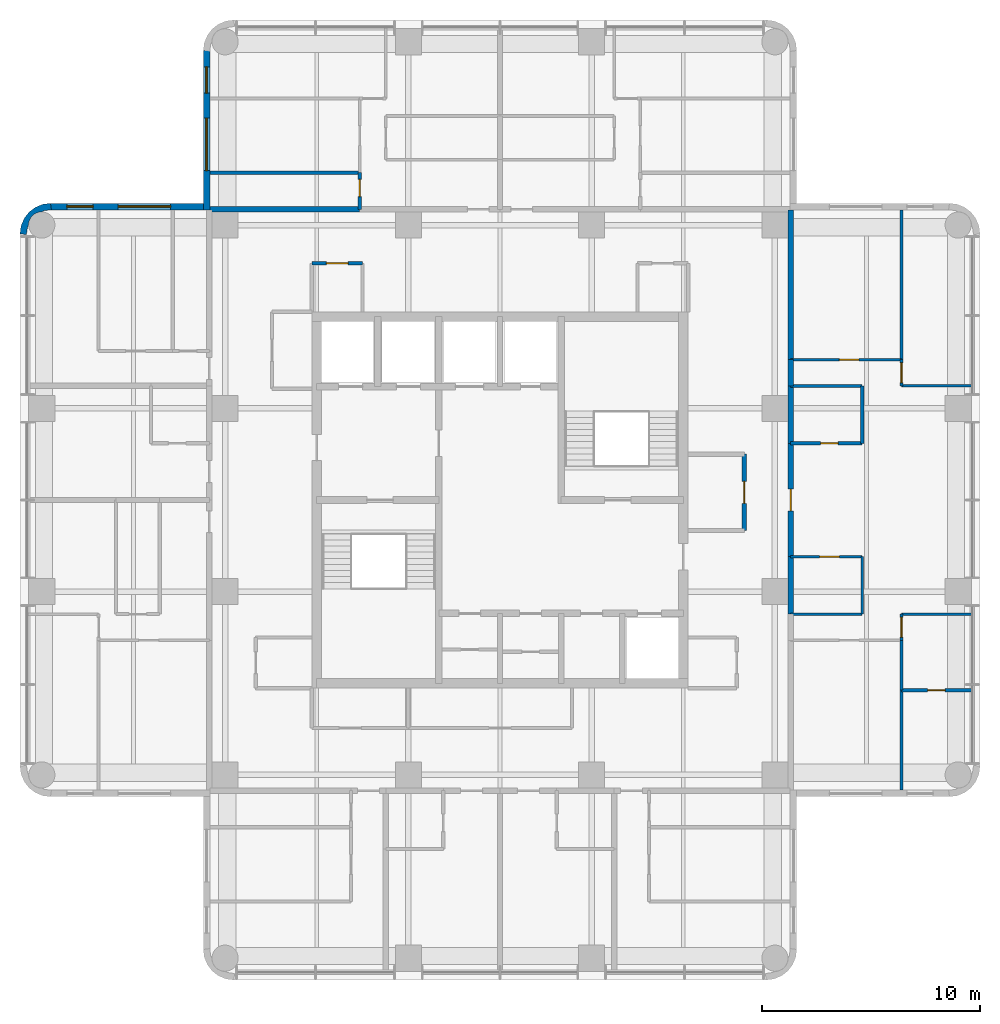
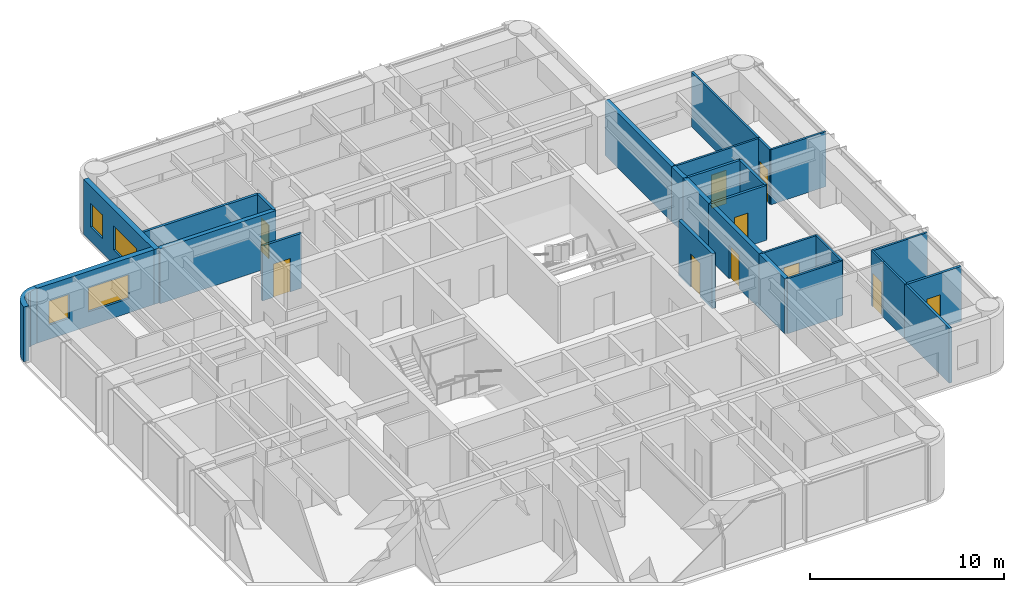
# One storey, part 7 of 10: 28 walls, 10 doors, 4 windows, 14 openings.
"""IFC4 building model written with IfcOpenShell, lengths in metres."""

from ifc_helpers import new_model, si_unit, direction, frame, frame_2d, origin, place, context, subcontext, project, spatial, polyline, rectangle, outline, extrude, material, layer, layer_set, type_object, element, fill, save


model = new_model("IFC4")

# Units and contexts
model_context = context("Model", 3, precision=1e-05, world=origin(), true_north=direction((0.0, 1.0)))
body_context = subcontext(model_context, "Body", "Model", "MODEL_VIEW")
ifc_project = project(units=[si_unit("LENGTHUNIT", "METRE"), si_unit("AREAUNIT", "SQUARE_METRE"), si_unit("VOLUMEUNIT", "CUBIC_METRE"), si_unit("PLANEANGLEUNIT", "RADIAN"), si_unit("MASSUNIT", "GRAM", prefix="KILO")], contexts=[model_context])

# Site, building, storey
site_placement = place(None, origin())
site = spatial("IfcSite", under=ifc_project, at=site_placement, CompositionType="ELEMENT")
building_placement = place(site_placement, origin())
building = spatial("IfcBuilding", under=site, at=building_placement, Name="Torre Alcanfor", CompositionType="ELEMENT")
storey_placement = place(building_placement, frame((0.0, 0.0, 282.89990234375)))
storey = spatial("IfcBuildingStorey", under=building, at=storey_placement, Name="L74", CompositionType="ELEMENT", Elevation=282.89990234375)

# Wall
ifc_material_1 = material(Name="Concrete block masonry, hollow blocks NMX-C-404 9 MPa", Category="masonry")
ifc_layer_1 = layer(ifc_material_1, 0.25)
ifc_layer_set_1 = layer_set([ifc_layer_1], Name="Apartment entrance wall 250 EI 60")
wall_type_1 = type_object("IfcWallType", Name="Apartment entrance wall 250 EI 60", PredefinedType="PARTITIONING", material=ifc_layer_set_1)
wall_1_placement = place(storey_placement, frame((16.10009765625, 42.72509765625, 0.0), z_axis=(0.0, 0.0, 1.0), x_axis=(1.0, 0.0, 0.0)))
element("IfcWall", 1, at=wall_1_placement, inside=storey, type_object=wall_type_1, Name="Partition L74-CORR / L74-N1-BATH", PredefinedType="PARTITIONING", context=body_context, shape_type="SweptSolid", body=[
    extrude(rectangle(XDim=6.870849609375, YDim=0.25, at=frame_2d((3.435546875, 0.0))), origin(), (0.0, 0.0, 1.0), 3.4501953125),
])

# Wall, opening, door
wall_2_placement = place(storey_placement, frame((42.72509765625, 32.0, 0.0), z_axis=(0.0, 0.0, 1.0), x_axis=(0.0, -1.0, 0.0)))
wall_2 = element("IfcWall", 2, at=wall_2_placement, inside=storey, type_object=wall_type_1, Name="Partition L74-CORR / L74-EX-ZAG", PredefinedType="PARTITIONING", context=body_context, shape_type="SweptSolid", body=[
    extrude(rectangle(XDim=5.199951171875, YDim=0.25, at=frame_2d((2.60009765625, 0.0))), origin(), (0.0, 0.0, 1.0), 3.4501953125),
])
opening_1_placement = place(wall_2_placement, frame((2.10009765625, 0.0, 0.0)))
opening_1 = element("IfcOpeningElement", 3, at=opening_1_placement, cuts=wall_2, Name="Opening D-A1", PredefinedType="OPENING", context=body_context, shape_type="SweptSolid", body=[
    extrude(rectangle(XDim=1.0, YDim=2.10009765625, at=frame_2d((0.5, 1.050048828125))), frame((0.0, 0.135009765625, 0.0), z_axis=(0.0, -1.0, 0.0), x_axis=(1.0, 0.0, 0.0)), (0.0, 0.0, 1.0), 0.27001953125),
])
ifc_material_2 = material(Name="Galvanised steel sheet ASTM A653", Category="steel")
door_type_1 = type_object("IfcDoorType", Name="Apartment entrance door FD60 1000x2100", OperationType="SINGLE_SWING_LEFT", PredefinedType="DOOR", material=ifc_material_2)
door_1_placement = place(opening_1_placement, origin())
door_1 = element("IfcDoor", 4, at=door_1_placement, inside=storey, type_object=door_type_1, Name="Apartment entrance L74-EX", OperationType="SINGLE_SWING_LEFT", OverallHeight=2.10009765625, OverallWidth=1.0, PredefinedType="DOOR", context=body_context, shape_type="SweptSolid", body=[
    extrude(rectangle(XDim=1.0, YDim=2.10009765625, at=frame_2d((0.5, 1.050048828125))), frame((0.0, 0.02490234375, 0.0), z_axis=(0.0, -1.0, 0.0), x_axis=(1.0, 0.0, 0.0)), (0.0, 0.0, 1.0), 0.050048828125),
])
fill(opening_1, door_1)

# Walls
wall_3_placement = place(storey_placement, frame((42.72509765625, 34.62890625, 0.0), z_axis=(0.0, 0.0, 1.0), x_axis=(0.0, -1.0, 0.0)))
element("IfcWall", 5, at=wall_3_placement, inside=storey, type_object=wall_type_1, Name="Partition L74-CORR / L74-EX-BATH2", PredefinedType="PARTITIONING", context=body_context, shape_type="SweptSolid", body=[
    extrude(rectangle(XDim=2.62890625, YDim=0.25, at=frame_2d((1.314453125, 0.0))), origin(), (0.0, 0.0, 1.0), 3.4501953125),
])
wall_4_placement = place(storey_placement, frame((42.72509765625, 26.800048828125, 0.0), z_axis=(0.0, 0.0, 1.0), x_axis=(0.0, -1.0, 0.0)))
element("IfcWall", 6, at=wall_4_placement, inside=storey, type_object=wall_type_1, Name="Partition L74-CORR / L74-EX-KITCHEN", PredefinedType="PARTITIONING", context=body_context, shape_type="SweptSolid", body=[
    extrude(rectangle(XDim=2.629150390625, YDim=0.25, at=frame_2d((1.314453125, 0.0))), origin(), (0.0, 0.0, 1.0), 3.4501953125),
])
wall_5_placement = place(storey_placement, frame((42.72509765625, 35.8291015625, 0.0), z_axis=(0.0, 0.0, 1.0), x_axis=(0.0, -1.0, 0.0)))
element("IfcWall", 7, at=wall_5_placement, inside=storey, type_object=wall_type_1, Name="Partition L74-CORR / L74-EX-LIVING", PredefinedType="PARTITIONING", context=body_context, shape_type="SweptSolid", body=[
    extrude(rectangle(XDim=1.2001953125, YDim=0.25, at=frame_2d((0.60009765625, 0.0))), origin(), (0.0, 0.0, 1.0), 3.4501953125),
])
wall_6_placement = place(storey_placement, frame((42.72509765625, 42.699951171875, 0.0), z_axis=(0.0, 0.0, 1.0), x_axis=(0.0, -1.0, 0.0)))
element("IfcWall", 8, at=wall_6_placement, inside=storey, type_object=wall_type_1, Name="Partition L74-CORR / L74-EX-BED2", PredefinedType="PARTITIONING", context=body_context, shape_type="SweptSolid", body=[
    extrude(rectangle(XDim=6.870849609375, YDim=0.25, at=frame_2d((3.435546875, 0.0))), origin(), (0.0, 0.0, 1.0), 3.4501953125),
])

# Wall, opening, door
ifc_material_3 = material(Name="Gypsum board on steel studs", Category="steel")
ifc_layer_2 = layer(ifc_material_3, 0.1201171875)
ifc_layer_set_2 = layer_set([ifc_layer_2], Name="Apartment partition 120")
wall_type_2 = type_object("IfcWallType", Name="Apartment partition 120", PredefinedType="PARTITIONING", material=ifc_layer_set_2)
wall_7_placement = place(storey_placement, frame((42.72509765625, 26.800048828125, 0.0), z_axis=(0.0, 0.0, 1.0), x_axis=(1.0, 0.0, 0.0)))
wall_7 = element("IfcWall", 9, at=wall_7_placement, inside=storey, type_object=wall_type_2, Name="Partition L74-EX-ZAG / L74-EX-KITCHEN", PredefinedType="PARTITIONING", context=body_context, shape_type="SweptSolid", body=[
    extrude(rectangle(XDim=3.27490234375, YDim=0.1201171875, at=frame_2d((1.637451171875, 0.0))), origin(), (0.0, 0.0, 1.0), 3.4501953125),
])
opening_2_placement = place(wall_7_placement, frame((1.324951171875, 0.0, 0.0)))
opening_2 = element("IfcOpeningElement", 10, at=opening_2_placement, cuts=wall_7, Name="Opening D-R1", PredefinedType="OPENING", context=body_context, shape_type="SweptSolid", body=[
    extrude(rectangle(XDim=0.89990234375, YDim=2.10009765625, at=frame_2d((0.449951171875, 1.050048828125))), frame((0.0, 0.070068359375, 0.0), z_axis=(0.0, -1.0, 0.0), x_axis=(1.0, 0.0, 0.0)), (0.0, 0.0, 1.0), 0.14013671875),
])
ifc_material_4 = material(Name="Timber", Category="wood")
door_type_2 = type_object("IfcDoorType", Name="Internal door 900x2100", OperationType="SINGLE_SWING_LEFT", PredefinedType="DOOR", material=ifc_material_4)
door_2_placement = place(opening_2_placement, frame((0.89990234375, 0.0, 0.0), z_axis=(0.0, 0.0, 1.0), x_axis=(-1.0, 0.0, 0.0)))
door_2 = element("IfcDoor", 11, at=door_2_placement, inside=storey, type_object=door_type_2, Name="Door L74-EX kitchen", OperationType="SINGLE_SWING_LEFT", OverallHeight=2.10009765625, OverallWidth=0.89990234375, PredefinedType="DOOR", context=body_context, shape_type="SweptSolid", body=[
    extrude(rectangle(XDim=0.89990234375, YDim=2.10009765625, at=frame_2d((0.449951171875, 1.050048828125))), frame((0.0, 0.025146484375, 0.0), z_axis=(0.0, -1.0, 0.0), x_axis=(1.0, 0.0, 0.0)), (0.0, 0.0, 1.0), 0.050048828125),
])
fill(opening_2, door_2)

# Walls
wall_8_placement = place(storey_placement, frame((42.72509765625, 24.1708984375, 0.0), z_axis=(0.0, 0.0, 1.0), x_axis=(1.0, 0.0, 0.0)))
element("IfcWall", 12, at=wall_8_placement, inside=storey, type_object=wall_type_2, Name="Partition L74-EX-KITCHEN / L74-EX-LIVING", PredefinedType="PARTITIONING", context=body_context, shape_type="SweptSolid", body=[
    extrude(rectangle(XDim=3.27490234375, YDim=0.1201171875, at=frame_2d((1.637451171875, 0.0))), origin(), (0.0, 0.0, 1.0), 3.4501953125),
])
wall_9_placement = place(storey_placement, frame((46.0, 24.1708984375, 0.0), z_axis=(0.0, 0.0, 1.0), x_axis=(0.0, 1.0, 0.0)))
element("IfcWall", 13, at=wall_9_placement, inside=storey, type_object=wall_type_2, Name="Partition L74-EX-KITCHEN / L74-EX-LIVING", PredefinedType="PARTITIONING", context=body_context, shape_type="SweptSolid", body=[
    extrude(rectangle(XDim=2.629150390625, YDim=0.1201171875, at=frame_2d((1.314453125, 0.0))), origin(), (0.0, 0.0, 1.0), 3.4501953125),
])

# Wall, opening, door
wall_10_placement = place(storey_placement, frame((42.72509765625, 35.8291015625, 0.0), z_axis=(0.0, 0.0, 1.0), x_axis=(1.0, 0.0, 0.0)))
wall_10 = element("IfcWall", 14, at=wall_10_placement, inside=storey, type_object=wall_type_2, Name="Partition L74-EX-LIVING / L74-EX-BED2", PredefinedType="PARTITIONING", context=body_context, shape_type="SweptSolid", body=[
    extrude(rectangle(XDim=5.074951171875, YDim=0.1201171875, at=frame_2d((2.53759765625, 0.0))), origin(), (0.0, 0.0, 1.0), 3.4501953125),
])
opening_3_placement = place(wall_10_placement, frame((2.22509765625, 0.0, 0.0)))
opening_3 = element("IfcOpeningElement", 15, at=opening_3_placement, cuts=wall_10, Name="Opening D-R1", PredefinedType="OPENING", context=body_context, shape_type="SweptSolid", body=[
    extrude(rectangle(XDim=0.89990234375, YDim=2.10009765625, at=frame_2d((0.449951171875, 1.050048828125))), frame((0.0, 0.070068359375, 0.0), z_axis=(0.0, -1.0, 0.0), x_axis=(1.0, 0.0, 0.0)), (0.0, 0.0, 1.0), 0.14013671875),
])
door_3_placement = place(opening_3_placement, origin())
door_3 = element("IfcDoor", 16, at=door_3_placement, inside=storey, type_object=door_type_2, Name="Door L74-EX bed2", OperationType="SINGLE_SWING_RIGHT", OverallHeight=2.10009765625, OverallWidth=0.89990234375, PredefinedType="DOOR", context=body_context, shape_type="SweptSolid", body=[
    extrude(rectangle(XDim=0.89990234375, YDim=2.10009765625, at=frame_2d((0.449951171875, 1.050048828125))), frame((0.0, 0.02490234375, 0.0), z_axis=(0.0, -1.0, 0.0), x_axis=(1.0, 0.0, 0.0)), (0.0, 0.0, 1.0), 0.050048828125),
])
fill(opening_3, door_3)

wall_11_placement = place(storey_placement, frame((47.800048828125, 35.8291015625, 0.0), z_axis=(0.0, 0.0, 1.0), x_axis=(0.0, -1.0, 0.0)))
wall_11 = element("IfcWall", 17, at=wall_11_placement, inside=storey, type_object=wall_type_2, Name="Partition L74-EX-LIVING / L74-EX-MASTER", PredefinedType="PARTITIONING", context=body_context, shape_type="SweptSolid", body=[
    extrude(rectangle(XDim=1.2001953125, YDim=0.1201171875, at=frame_2d((0.60009765625, 0.0))), origin(), (0.0, 0.0, 1.0), 3.4501953125),
])
opening_4_placement = place(wall_11_placement, frame((0.14892578125, 0.0, 0.0)))
opening_4 = element("IfcOpeningElement", 18, at=opening_4_placement, cuts=wall_11, Name="Opening D-R1", PredefinedType="OPENING", context=body_context, shape_type="SweptSolid", body=[
    extrude(rectangle(XDim=0.89990234375, YDim=2.10009765625, at=frame_2d((0.449951171875, 1.050048828125))), frame((0.0, 0.070068359375, 0.0), z_axis=(0.0, -1.0, 0.0), x_axis=(1.0, 0.0, 0.0)), (0.0, 0.0, 1.0), 0.14013671875),
])
door_4_placement = place(opening_4_placement, origin())
door_4 = element("IfcDoor", 19, at=door_4_placement, inside=storey, type_object=door_type_2, Name="Door L74-EX master", OperationType="SINGLE_SWING_RIGHT", OverallHeight=2.10009765625, OverallWidth=0.89990234375, PredefinedType="DOOR", context=body_context, shape_type="SweptSolid", body=[
    extrude(rectangle(XDim=0.89990234375, YDim=2.10009765625, at=frame_2d((0.449951171875, 1.050048828125))), frame((0.0, 0.02490234375, 0.0), z_axis=(0.0, -1.0, 0.0), x_axis=(1.0, 0.0, 0.0)), (0.0, 0.0, 1.0), 0.050048828125),
])
fill(opening_4, door_4)

# Walls
for number, where, z_axis, x_axis, name in (
    (20, (47.800048828125, 34.62890625, 0.0), (0.0, 0.0, 1.0), (1.0, 0.0, 0.0), "Partition L74-EX-LIVING / L74-EX-MASTER"),
    (21, (51.050048828125, 24.1708984375, 0.0), (0.0, 0.0, 1.0), (-1.0, 0.0, 0.0), "Partition L74-EX-LIVING / L74-EX-BED1"),
):
    element("IfcWall", number, at=place(storey_placement, frame(where, z_axis=z_axis, x_axis=x_axis)), inside=storey, type_object=wall_type_2, Name=name, PredefinedType="PARTITIONING", context=body_context, shape_type="SweptSolid", body=[
        extrude(rectangle(XDim=3.25, YDim=0.1201171875, at=frame_2d((1.625, 0.0))), origin(), (0.0, 0.0, 1.0), 3.4501953125),
    ])

# Wall, opening, door
wall_12_placement = place(storey_placement, frame((47.800048828125, 24.1708984375, 0.0), z_axis=(0.0, 0.0, 1.0), x_axis=(0.0, -1.0, 0.0)))
wall_12 = element("IfcWall", 22, at=wall_12_placement, inside=storey, type_object=wall_type_2, Name="Partition L74-EX-LIVING / L74-EX-BED1", PredefinedType="PARTITIONING", context=body_context, shape_type="SweptSolid", body=[
    extrude(rectangle(XDim=1.199951171875, YDim=0.1201171875, at=frame_2d((0.60009765625, 0.0))), origin(), (0.0, 0.0, 1.0), 3.4501953125),
])
opening_5_placement = place(wall_12_placement, frame((0.15087890625, 0.0, 0.0)))
opening_5 = element("IfcOpeningElement", 23, at=opening_5_placement, cuts=wall_12, Name="Opening D-R1", PredefinedType="OPENING", context=body_context, shape_type="SweptSolid", body=[
    extrude(rectangle(XDim=0.89990234375, YDim=2.10009765625, at=frame_2d((0.449951171875, 1.050048828125))), frame((0.0, 0.070068359375, 0.0), z_axis=(0.0, -1.0, 0.0), x_axis=(1.0, 0.0, 0.0)), (0.0, 0.0, 1.0), 0.14013671875),
])
door_5_placement = place(opening_5_placement, origin())
door_5 = element("IfcDoor", 24, at=door_5_placement, inside=storey, type_object=door_type_2, Name="Door L74-EX bed1", OperationType="SINGLE_SWING_LEFT", OverallHeight=2.10009765625, OverallWidth=0.89990234375, PredefinedType="DOOR", context=body_context, shape_type="SweptSolid", body=[
    extrude(rectangle(XDim=0.89990234375, YDim=2.10009765625, at=frame_2d((0.449951171875, 1.050048828125))), frame((0.0, 0.02490234375, 0.0), z_axis=(0.0, -1.0, 0.0), x_axis=(1.0, 0.0, 0.0)), (0.0, 0.0, 1.0), 0.050048828125),
])
fill(opening_5, door_5)

# Walls
wall_13_placement = place(storey_placement, frame((47.800048828125, 35.8291015625, 0.0), z_axis=(0.0, 0.0, 1.0), x_axis=(0.0, 1.0, 0.0)))
element("IfcWall", 25, at=wall_13_placement, inside=storey, type_object=wall_type_2, Name="Partition L74-EX-BED2 / L74-EX-MASTER", PredefinedType="PARTITIONING", context=body_context, shape_type="SweptSolid", body=[
    extrude(rectangle(XDim=6.870849609375, YDim=0.1201171875, at=frame_2d((3.435546875, 0.0))), origin(), (0.0, 0.0, 1.0), 3.4501953125),
])
wall_14_placement = place(storey_placement, frame((47.800048828125, 20.68603515625, 0.0), z_axis=(0.0, 0.0, 1.0), x_axis=(0.0, 1.0, 0.0)))
element("IfcWall", 26, at=wall_14_placement, inside=storey, type_object=wall_type_2, Name="Partition L74-EX-BED3 / L74-EX-BED1", PredefinedType="PARTITIONING", context=body_context, shape_type="SweptSolid", body=[
    extrude(rectangle(XDim=2.284912109375, YDim=0.1201171875, at=frame_2d((1.142578125, 0.0))), origin(), (0.0, 0.0, 1.0), 3.4501953125),
])

# Wall, openings, windows
ifc_material_5 = material(Name="Limestone cladding", Category="masonry")
ifc_layer_3 = layer(ifc_material_5, 0.0400390625, Name="Facing")
ifc_material_6 = material(Name="Ventilated air cavity")
ifc_layer_4 = layer(ifc_material_6, 0.02001953125, ventilated=True, Name="Ventilated joint")
ifc_material_7 = material(Name="Mineral wool insulation", Category="insulation")
ifc_layer_5 = layer(ifc_material_7, 0.10009765625, Name="Insulation")
ifc_material_8 = material(Name="Concrete f'c 35 MPa", Category="concrete")
ifc_layer_6 = layer(ifc_material_8, 0.139892578125, Name="Backing")
ifc_layer_set_3 = layer_set([ifc_layer_3, ifc_layer_4, ifc_layer_5, ifc_layer_6], Name="External wall stone-clad 300")
wall_type_3 = type_object("IfcWallType", Name="External wall stone-clad 300", PredefinedType="SOLIDWALL", material=ifc_layer_set_3)
wall_15_placement = place(storey_placement, frame((15.800048828125, 42.85009765625, 0.0), z_axis=(0.0, 0.0, 1.0), x_axis=(-1.0, 0.0, 0.0)))
wall_15 = element("IfcWall", 27, at=wall_15_placement, inside=storey, type_object=wall_type_3, Name="External wall L74 1", PredefinedType="SOLIDWALL", context=body_context, shape_type="SweptSolid", body=[
    extrude(rectangle(XDim=7.0, YDim=0.300048828125, at=frame_2d((3.5, 0.0))), origin(), (0.0, 0.0, 1.0), 3.4501953125),
])
opening_6_placement = place(wall_15_placement, frame((1.5, 0.0, 0.89990234375)))
opening_6 = element("IfcOpeningElement", 28, at=opening_6_placement, cuts=wall_15, Name="Opening W1", PredefinedType="OPENING", context=body_context, shape_type="SweptSolid", body=[
    extrude(rectangle(XDim=2.39990234375, YDim=1.5, at=frame_2d((1.199951171875, 0.75))), frame((0.0, 0.159912109375, 0.0), z_axis=(0.0, -1.0, 0.0), x_axis=(1.0, 0.0, 0.0)), (0.0, 0.0, 1.0), 0.320068359375),
])
opening_7_placement = place(wall_15_placement, frame((5.050048828125, 0.0, 0.89990234375)))
opening_7 = element("IfcOpeningElement", 29, at=opening_7_placement, cuts=wall_15, Name="Opening W4", PredefinedType="OPENING", context=body_context, shape_type="SweptSolid", body=[
    extrude(rectangle(XDim=1.199951171875, YDim=1.5, at=frame_2d((0.60009765625, 0.75))), frame((0.0, 0.159912109375, 0.0), z_axis=(0.0, -1.0, 0.0), x_axis=(1.0, 0.0, 0.0)), (0.0, 0.0, 1.0), 0.320068359375),
])
ifc_material_9 = material(Name="Aluminium frame with clear double glazing", Category="aluminium")
window_type_1 = type_object("IfcWindowType", Name="Window bedroom 1200x1500", PartitioningType="SINGLE_PANEL", PredefinedType="WINDOW", material=ifc_material_9)
window_1_placement = place(opening_7_placement, origin())
window_1 = element("IfcWindow", 30, at=window_1_placement, inside=storey, type_object=window_type_1, Name="Window W4 L74-W2", OverallHeight=1.5, OverallWidth=1.199951171875, PartitioningType="SINGLE_PANEL", PredefinedType="WINDOW", context=body_context, shape_type="SweptSolid", body=[
    extrude(rectangle(XDim=1.199951171875, YDim=1.5, at=frame_2d((0.60009765625, 0.75))), frame((0.0, 0.030029296875, 0.0), z_axis=(0.0, -1.0, 0.0), x_axis=(1.0, 0.0, 0.0)), (0.0, 0.0, 1.0), 0.06005859375),
])
fill(opening_7, window_1)
ifc_material_10 = material(Name="Aluminium frame with clear double glazing", Category="aluminium")
window_type_2 = type_object("IfcWindowType", Name="Window bedroom 2400x1500", PartitioningType="SINGLE_PANEL", PredefinedType="WINDOW", material=ifc_material_10)
window_2_placement = place(opening_6_placement, origin())
window_2 = element("IfcWindow", 31, at=window_2_placement, inside=storey, type_object=window_type_2, Name="Window W1 L74-W2", OverallHeight=1.5, OverallWidth=2.39990234375, PartitioningType="SINGLE_PANEL", PredefinedType="WINDOW", context=body_context, shape_type="SweptSolid", body=[
    extrude(rectangle(XDim=2.39990234375, YDim=1.5, at=frame_2d((1.199951171875, 0.75))), frame((0.0, 0.030029296875, 0.0), z_axis=(0.0, -1.0, 0.0), x_axis=(1.0, 0.0, 0.0)), (0.0, 0.0, 1.0), 0.06005859375),
])
fill(opening_6, window_2)

wall_16_placement = place(storey_placement, frame((15.949951171875, 50.0, 0.0), z_axis=(0.0, 0.0, 1.0), x_axis=(0.0, -1.0, 0.0)))
wall_16 = element("IfcWall", 32, at=wall_16_placement, inside=storey, type_object=wall_type_3, Name="External wall L74 12", PredefinedType="SOLIDWALL", context=body_context, shape_type="SweptSolid", body=[
    extrude(rectangle(XDim=7.300048828125, YDim=0.300048828125, at=frame_2d((3.64990234375, 0.0))), origin(), (0.0, 0.0, 1.0), 3.4501953125),
])
opening_8_placement = place(wall_16_placement, frame((3.10009765625, 0.0, 0.89990234375)))
opening_8 = element("IfcOpeningElement", 33, at=opening_8_placement, cuts=wall_16, Name="Opening W1", PredefinedType="OPENING", context=body_context, shape_type="SweptSolid", body=[
    extrude(rectangle(XDim=2.39990234375, YDim=1.5, at=frame_2d((1.199951171875, 0.75))), frame((0.0, 0.159912109375, 0.0), z_axis=(0.0, -1.0, 0.0), x_axis=(1.0, 0.0, 0.0)), (0.0, 0.0, 1.0), 0.320068359375),
])
opening_9_placement = place(wall_16_placement, frame((0.75, 0.0, 0.89990234375)))
opening_9 = element("IfcOpeningElement", 34, at=opening_9_placement, cuts=wall_16, Name="Opening W4", PredefinedType="OPENING", context=body_context, shape_type="SweptSolid", body=[
    extrude(rectangle(XDim=1.199951171875, YDim=1.5, at=frame_2d((0.60009765625, 0.75))), frame((0.0, 0.159912109375, 0.0), z_axis=(0.0, -1.0, 0.0), x_axis=(1.0, 0.0, 0.0)), (0.0, 0.0, 1.0), 0.320068359375),
])
window_3_placement = place(opening_9_placement, origin())
window_3 = element("IfcWindow", 35, at=window_3_placement, inside=storey, type_object=window_type_1, Name="Window W4 L74-N1", OverallHeight=1.5, OverallWidth=1.199951171875, PartitioningType="SINGLE_PANEL", PredefinedType="WINDOW", context=body_context, shape_type="SweptSolid", body=[
    extrude(rectangle(XDim=1.199951171875, YDim=1.5, at=frame_2d((0.60009765625, 0.75))), frame((0.0, 0.030029296875, 0.0), z_axis=(0.0, -1.0, 0.0), x_axis=(1.0, 0.0, 0.0)), (0.0, 0.0, 1.0), 0.06005859375),
])
fill(opening_9, window_3)
window_4_placement = place(opening_8_placement, origin())
window_4 = element("IfcWindow", 36, at=window_4_placement, inside=storey, type_object=window_type_2, Name="Window W1 L74-N1", OverallHeight=1.5, OverallWidth=2.39990234375, PartitioningType="SINGLE_PANEL", PredefinedType="WINDOW", context=body_context, shape_type="SweptSolid", body=[
    extrude(rectangle(XDim=2.39990234375, YDim=1.5, at=frame_2d((1.199951171875, 0.75))), frame((0.0, 0.030029296875, 0.0), z_axis=(0.0, -1.0, 0.0), x_axis=(1.0, 0.0, 0.0)), (0.0, 0.0, 1.0), 0.06005859375),
])
fill(opening_8, window_4)

# Wall, opening, door
ifc_material_11 = material(Name="Concrete block masonry, hollow blocks NMX-C-404 9 MPa", Category="masonry")
ifc_layer_7 = layer(ifc_material_11, 0.199951171875)
ifc_layer_set_4 = layer_set([ifc_layer_7], Name="Plant room wall 200 EI 60")
wall_type_4 = type_object("IfcWallType", Name="Plant room wall 200 EI 60", PredefinedType="PARTITIONING", material=ifc_layer_set_4)
wall_17_placement = place(storey_placement, frame((40.60009765625, 28.0, 0.0), z_axis=(0.0, 0.0, 1.0), x_axis=(0.0, 1.0, 0.0)))
wall_17 = element("IfcWall", 37, at=wall_17_placement, inside=storey, type_object=wall_type_4, Name="Partition L74-CORR / L74-G04", PredefinedType="PARTITIONING", context=body_context, shape_type="SweptSolid", body=[
    extrude(rectangle(XDim=3.5, YDim=0.199951171875, at=frame_2d((1.75, 0.0))), origin(), (0.0, 0.0, 1.0), 3.4501953125),
])
opening_10_placement = place(wall_17_placement, frame((1.25, 0.0, 0.0)))
opening_10 = element("IfcOpeningElement", 38, at=opening_10_placement, cuts=wall_17, Name="Opening D-K1", PredefinedType="OPENING", context=body_context, shape_type="SweptSolid", body=[
    extrude(rectangle(XDim=1.0, YDim=2.10009765625, at=frame_2d((0.5, 1.050048828125))), frame((0.0, 0.10986328125, 0.0), z_axis=(0.0, -1.0, 0.0), x_axis=(1.0, 0.0, 0.0)), (0.0, 0.0, 1.0), 0.219970703125),
])
ifc_material_12 = material(Name="Galvanised steel sheet ASTM A653", Category="steel")
door_type_3 = type_object("IfcDoorType", Name="Core room door FD60 1000x2100", OperationType="SINGLE_SWING_LEFT", PredefinedType="DOOR", material=ifc_material_12)
door_6_placement = place(opening_10_placement, origin())
door_6 = element("IfcDoor", 39, at=door_6_placement, inside=storey, type_object=door_type_3, Name="Door L74-G04 refuse and recycling store", OperationType="SINGLE_SWING_LEFT", OverallHeight=2.10009765625, OverallWidth=1.0, PredefinedType="DOOR", context=body_context, shape_type="SweptSolid", body=[
    extrude(rectangle(XDim=1.0, YDim=2.10009765625, at=frame_2d((0.5, 1.050048828125))), frame((0.0, 0.02490234375, 0.0), z_axis=(0.0, -1.0, 0.0), x_axis=(1.0, 0.0, 0.0)), (0.0, 0.0, 1.0), 0.050048828125),
])
fill(opening_10, door_6)

ifc_material_13 = material(Name="Concrete block masonry, hollow blocks NMX-C-404 9 MPa", Category="masonry")
ifc_layer_8 = layer(ifc_material_13, 0.14990234375)
ifc_layer_set_5 = layer_set([ifc_layer_8], Name="Residents' room partition 150")
wall_type_5 = type_object("IfcWallType", Name="Residents' room partition 150", PredefinedType="PARTITIONING", material=ifc_layer_set_5)
wall_18_placement = place(storey_placement, frame((23.10009765625, 40.25, 0.0), z_axis=(0.0, 0.0, 1.0), x_axis=(-1.0, 0.0, 0.0)))
wall_18 = element("IfcWall", 40, at=wall_18_placement, inside=storey, type_object=wall_type_5, Name="Partition L74-CORR / L74-G01", PredefinedType="PARTITIONING", context=body_context, shape_type="SweptSolid", body=[
    extrude(rectangle(XDim=2.3251953125, YDim=0.14990234375, at=frame_2d((1.16259765625, 0.0))), origin(), (0.0, 0.0, 1.0), 3.4501953125),
])
opening_11_placement = place(wall_18_placement, frame((0.66259765625, 0.0, 0.0)))
opening_11 = element("IfcOpeningElement", 41, at=opening_11_placement, cuts=wall_18, Name="Opening D-M1", PredefinedType="OPENING", context=body_context, shape_type="SweptSolid", body=[
    extrude(rectangle(XDim=1.0, YDim=2.10009765625, at=frame_2d((0.5, 1.050048828125))), frame((0.0, 0.0849609375, 0.0), z_axis=(0.0, -1.0, 0.0), x_axis=(1.0, 0.0, 0.0)), (0.0, 0.0, 1.0), 0.169921875),
])
ifc_material_14 = material(Name="Timber", Category="wood")
door_type_4 = type_object("IfcDoorType", Name="Residents' room door 1000x2100", OperationType="SINGLE_SWING_LEFT", PredefinedType="DOOR", material=ifc_material_14)
door_7_placement = place(opening_11_placement, origin())
door_7 = element("IfcDoor", 42, at=door_7_placement, inside=storey, type_object=door_type_4, Name="Door L74-G01 parcel room", OperationType="SINGLE_SWING_LEFT", OverallHeight=2.10009765625, OverallWidth=1.0, PredefinedType="DOOR", context=body_context, shape_type="SweptSolid", body=[
    extrude(rectangle(XDim=1.0, YDim=2.10009765625, at=frame_2d((0.5, 1.050048828125))), frame((0.0, 0.02490234375, 0.0), z_axis=(0.0, -1.0, 0.0), x_axis=(1.0, 0.0, 0.0)), (0.0, 0.0, 1.0), 0.050048828125),
])
fill(opening_11, door_7)

# Wall
ifc_layer_9 = layer(ifc_material_5, 0.0400390625, Name="Facing")
ifc_layer_10 = layer(ifc_material_6, 0.02001953125, ventilated=True, Name="Ventilated joint")
ifc_layer_11 = layer(ifc_material_7, 0.10009765625, Name="Insulation")
ifc_layer_12 = layer(ifc_material_8, 0.139892578125, Name="Backing")
ifc_layer_set_6 = layer_set([ifc_layer_9, ifc_layer_10, ifc_layer_11, ifc_layer_12], Name="Rounded corner pier stone-clad 300")
wall_type_6 = type_object("IfcWallType", Name="Rounded corner pier stone-clad 300", PredefinedType="SOLIDWALL", material=ifc_layer_set_6)
wall_19_placement = place(storey_placement, frame((8.761581746, 42.575898117, 0.0), z_axis=(0.0, 0.0, 1.0), x_axis=(-0.707106781187, 0.707106781187, 0.0)))
element("IfcWall", 43, at=wall_19_placement, inside=storey, type_object=wall_type_6, Name="Corner pier L74 13", PredefinedType="SOLIDWALL", context=body_context, shape_type="SweptSolid", body=[
    extrude(outline(polyline([(0.23297927971509194, 0.11416555226925892), (0.04670774238592084, -0.12872977027211618), (0.032551796082869844, -0.1428857165751672), (0.27268498276023495, -0.32708565200633083), (0.49520955330453675, -0.03723401977678656), (0.6350426814200405, 0.3004370895984301), (0.6826895250742122, 0.6629674217497361), (0.6350426814200405, 1.025152486918041), (0.49520955330453664, 1.3628235962932576), (0.27285761625173566, 1.6528478620143026), (0.032724429574370495, 1.468647926583139), (0.0467077423859209, 1.4546646137715884), (0.23315191320659262, 1.2115966577387127), (0.29219256729980525, 1.0690013937591991), (0.3577932940700416, 1.0034006669889626), (0.44946167805687187, 0.7826024313596671), (0.44946167805687187, 0.5433324121398051), (0.3579659275615422, 0.322361543019009), (0.29219256729980525, 0.256588182757272), (0.23297927971509194, 0.11416555226925892)])), origin(), (0.0, 0.0, 1.0), 3.4501953125),
])

# Wall, opening, door
ifc_material_15 = material(Name="Cement board on steel studs", Category="steel")
ifc_layer_13 = layer(ifc_material_15, 0.14990234375)
ifc_layer_set_7 = layer_set([ifc_layer_13], Name="Wet area partition 150")
wall_type_7 = type_object("IfcWallType", Name="Wet area partition 150", PredefinedType="PARTITIONING", material=ifc_layer_set_7)
wall_20_placement = place(storey_placement, frame((22.970947265625, 42.72509765625, 0.0), z_axis=(0.0, 0.0, 1.0), x_axis=(0.0, 1.0, 0.0)))
wall_20 = element("IfcWall", 44, at=wall_20_placement, inside=storey, type_object=wall_type_7, Name="Partition L74-N1-LIVING / L74-N1-BATH", PredefinedType="PARTITIONING", context=body_context, shape_type="SweptSolid", body=[
    extrude(rectangle(XDim=1.6748046875, YDim=0.14990234375, at=frame_2d((0.83740234375, 0.0))), origin(), (0.0, 0.0, 1.0), 3.4501953125),
])
opening_12_placement = place(wall_20_placement, frame((0.574951171875, 0.0, 0.0)))
opening_12 = element("IfcOpeningElement", 45, at=opening_12_placement, cuts=wall_20, Name="Opening D-R2", PredefinedType="OPENING", context=body_context, shape_type="SweptSolid", body=[
    extrude(rectangle(XDim=0.800048828125, YDim=2.10009765625, at=frame_2d((0.39990234375, 1.050048828125))), frame((0.0, 0.0849609375, 0.0), z_axis=(0.0, -1.0, 0.0), x_axis=(1.0, 0.0, 0.0)), (0.0, 0.0, 1.0), 0.169921875),
])
ifc_material_16 = material(Name="Timber", Category="wood")
door_type_5 = type_object("IfcDoorType", Name="Bathroom door 800x2100", OperationType="SINGLE_SWING_LEFT", PredefinedType="DOOR", material=ifc_material_16)
door_8_placement = place(opening_12_placement, origin())
door_8 = element("IfcDoor", 46, at=door_8_placement, inside=storey, type_object=door_type_5, Name="Door L74-N1 bath", OperationType="SINGLE_SWING_RIGHT", OverallHeight=2.10009765625, OverallWidth=0.800048828125, PredefinedType="DOOR", context=body_context, shape_type="SweptSolid", body=[
    extrude(rectangle(XDim=0.800048828125, YDim=2.10009765625, at=frame_2d((0.39990234375, 1.050048828125))), frame((0.0, 0.02490234375, 0.0), z_axis=(0.0, -1.0, 0.0), x_axis=(1.0, 0.0, 0.0)), (0.0, 0.0, 1.0), 0.050048828125),
])
fill(opening_12, door_8)

# Wall
wall_21_placement = place(storey_placement, frame((22.970947265625, 44.39990234375, 0.0), z_axis=(0.0, 0.0, 1.0), x_axis=(-1.0, 0.0, 0.0)))
element("IfcWall", 47, at=wall_21_placement, inside=storey, type_object=wall_type_7, Name="Partition L74-N1-BATH / L74-N1-STUDY", PredefinedType="PARTITIONING", context=body_context, shape_type="SweptSolid", body=[
    extrude(rectangle(XDim=6.870849609375, YDim=0.14990234375, at=frame_2d((3.435546875, 0.0))), origin(), (0.0, 0.0, 1.0), 3.4501953125),
])

# Wall, opening, door
wall_22_placement = place(storey_placement, frame((46.0, 32.0, 0.0), z_axis=(0.0, 0.0, 1.0), x_axis=(-1.0, 0.0, 0.0)))
wall_22 = element("IfcWall", 48, at=wall_22_placement, inside=storey, type_object=wall_type_7, Name="Partition L74-EX-ZAG / L74-EX-BATH2", PredefinedType="PARTITIONING", context=body_context, shape_type="SweptSolid", body=[
    extrude(rectangle(XDim=3.27490234375, YDim=0.14990234375, at=frame_2d((1.637451171875, 0.0))), origin(), (0.0, 0.0, 1.0), 3.4501953125),
])
opening_13_placement = place(wall_22_placement, frame((1.10009765625, 0.0, 0.0)))
opening_13 = element("IfcOpeningElement", 49, at=opening_13_placement, cuts=wall_22, Name="Opening D-R2", PredefinedType="OPENING", context=body_context, shape_type="SweptSolid", body=[
    extrude(rectangle(XDim=0.800048828125, YDim=2.10009765625, at=frame_2d((0.39990234375, 1.050048828125))), frame((0.0, 0.0849609375, 0.0), z_axis=(0.0, -1.0, 0.0), x_axis=(1.0, 0.0, 0.0)), (0.0, 0.0, 1.0), 0.169921875),
])
door_9_placement = place(opening_13_placement, frame((0.800048828125, 0.0, 0.0), z_axis=(0.0, 0.0, 1.0), x_axis=(-1.0, 0.0, 0.0)))
door_9 = element("IfcDoor", 50, at=door_9_placement, inside=storey, type_object=door_type_5, Name="Door L74-EX bath2", OperationType="SINGLE_SWING_RIGHT", OverallHeight=2.10009765625, OverallWidth=0.800048828125, PredefinedType="DOOR", context=body_context, shape_type="SweptSolid", body=[
    extrude(rectangle(XDim=0.800048828125, YDim=2.10009765625, at=frame_2d((0.400146484375, 1.050048828125))), frame((0.0, 0.025146484375, 0.0), z_axis=(0.0, -1.0, 0.0), x_axis=(1.0, 0.0, 0.0)), (0.0, 0.0, 1.0), 0.050048828125),
])
fill(opening_13, door_9)

# Walls
wall_23_placement = place(storey_placement, frame((46.0, 32.0, 0.0), z_axis=(0.0, 0.0, 1.0), x_axis=(0.0, 1.0, 0.0)))
element("IfcWall", 51, at=wall_23_placement, inside=storey, type_object=wall_type_7, Name="Partition L74-EX-BATH2 / L74-EX-LIVING", PredefinedType="PARTITIONING", context=body_context, shape_type="SweptSolid", body=[
    extrude(rectangle(XDim=2.62890625, YDim=0.14990234375, at=frame_2d((1.314453125, 0.0))), origin(), (0.0, 0.0, 1.0), 3.4501953125),
])
wall_24_placement = place(storey_placement, frame((46.0, 34.62890625, 0.0), z_axis=(0.0, 0.0, 1.0), x_axis=(-1.0, 0.0, 0.0)))
element("IfcWall", 52, at=wall_24_placement, inside=storey, type_object=wall_type_7, Name="Partition L74-EX-BATH2 / L74-EX-LIVING", PredefinedType="PARTITIONING", context=body_context, shape_type="SweptSolid", body=[
    extrude(rectangle(XDim=3.27490234375, YDim=0.14990234375, at=frame_2d((1.637451171875, 0.0))), origin(), (0.0, 0.0, 1.0), 3.4501953125),
])
wall_25_placement = place(storey_placement, frame((47.800048828125, 16.10009765625, 0.0), z_axis=(0.0, 0.0, 1.0), x_axis=(0.0, 1.0, 0.0)))
element("IfcWall", 53, at=wall_25_placement, inside=storey, type_object=wall_type_7, Name="Partition L74-EX-BED3 / L74-EX-BATH1", PredefinedType="PARTITIONING", context=body_context, shape_type="SweptSolid", body=[
    extrude(rectangle(XDim=4.5859375, YDim=0.14990234375, at=frame_2d((2.29296875, 0.0))), origin(), (0.0, 0.0, 1.0), 3.4501953125),
])

# Wall, opening, door
wall_26_placement = place(storey_placement, frame((51.050048828125, 20.68603515625, 0.0), z_axis=(0.0, 0.0, 1.0), x_axis=(-1.0, 0.0, 0.0)))
wall_26 = element("IfcWall", 54, at=wall_26_placement, inside=storey, type_object=wall_type_7, Name="Partition L74-EX-BATH1 / L74-EX-BED1", PredefinedType="PARTITIONING", context=body_context, shape_type="SweptSolid", body=[
    extrude(rectangle(XDim=3.25, YDim=0.14990234375, at=frame_2d((1.625, 0.0))), origin(), (0.0, 0.0, 1.0), 3.4501953125),
])
opening_14_placement = place(wall_26_placement, frame((1.25, 0.0, 0.0)))
opening_14 = element("IfcOpeningElement", 55, at=opening_14_placement, cuts=wall_26, Name="Opening D-R2", PredefinedType="OPENING", context=body_context, shape_type="SweptSolid", body=[
    extrude(rectangle(XDim=0.800048828125, YDim=2.10009765625, at=frame_2d((0.39990234375, 1.050048828125))), frame((0.0, 0.0849609375, 0.0), z_axis=(0.0, -1.0, 0.0), x_axis=(1.0, 0.0, 0.0)), (0.0, 0.0, 1.0), 0.169921875),
])
door_10_placement = place(opening_14_placement, frame((0.800048828125, 0.0, 0.0), z_axis=(0.0, 0.0, 1.0), x_axis=(-1.0, 0.0, 0.0)))
door_10 = element("IfcDoor", 56, at=door_10_placement, inside=storey, type_object=door_type_5, Name="Door L74-EX bath1", OperationType="SINGLE_SWING_LEFT", OverallHeight=2.10009765625, OverallWidth=0.800048828125, PredefinedType="DOOR", context=body_context, shape_type="SweptSolid", body=[
    extrude(rectangle(XDim=0.800048828125, YDim=2.10009765625, at=frame_2d((0.400146484375, 1.050048828125))), frame((0.0, 0.025146484375, 0.0), z_axis=(0.0, -1.0, 0.0), x_axis=(1.0, 0.0, 0.0)), (0.0, 0.0, 1.0), 0.050048828125),
])
fill(opening_14, door_10)

save(model, "model.ifc")
